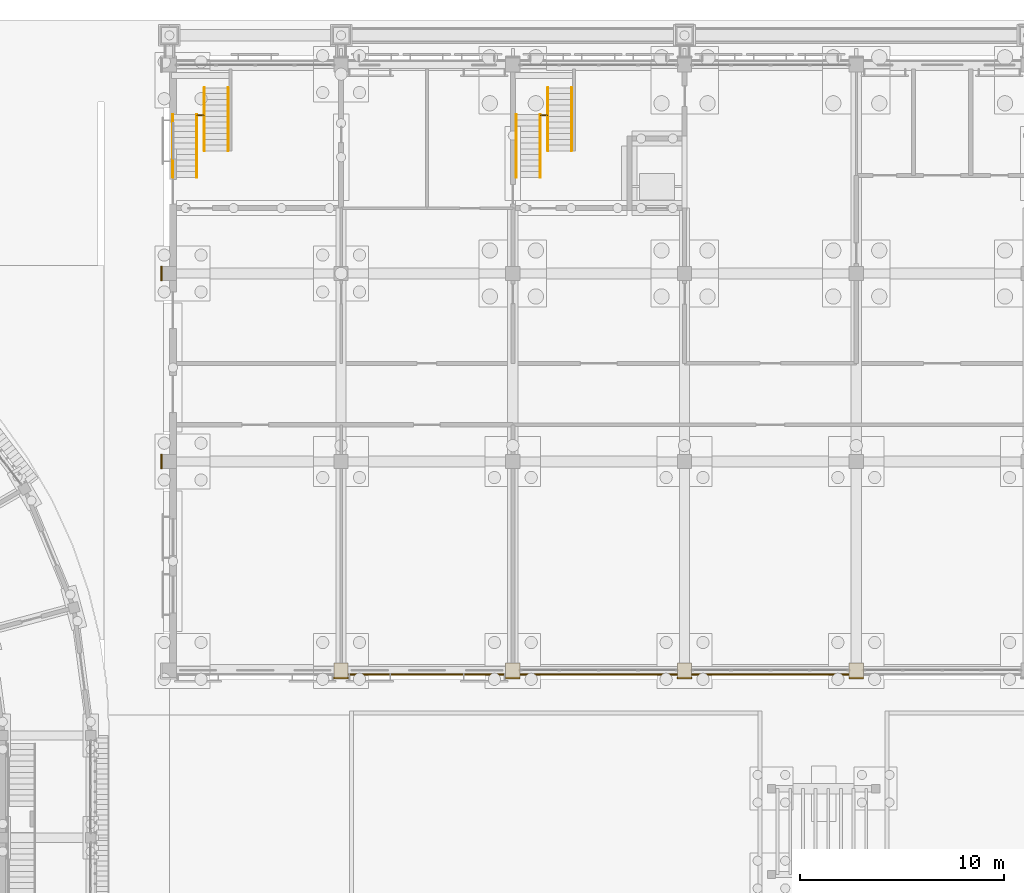
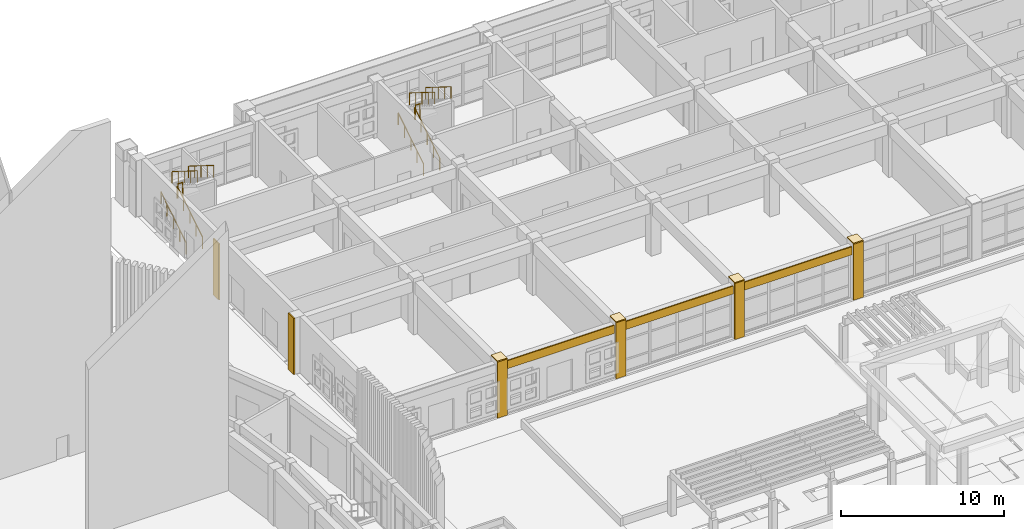
# One storey, part 102 of 112: 13 coverings, 10 railings.
"""IFC4 building model written with IfcOpenShell, lengths in metres."""

import ifcopenshell
import ifcopenshell.guid

model = None  # the IFC model being written
_history = None  # IfcOwnerHistory: only IFC2X3 demands one
_inside = {}  # id of a spatial element -> (the spatial element, [elements in it])
_under = {}  # id of a project, library or spatial element -> (it, [spatial elements below it])
_declared = {}  # id of a project -> (the project, [libraries it declares])
_typed = {}  # id of a type object -> (the type object, [elements of that type])
_made_of = {}  # id of a material, layer set ... -> (it, [elements and type objects made of it])


def new_model(schema):
    """Start an empty IFC model of exactly this schema.

    Asked for "IFC4X3", IfcOpenShell would pick the latest addendum, in which some entities
    have other attributes; the version numbers below select the first issue.
    IFC2X3 requires an IfcOwnerHistory on every rooted entity: one is made here for all.
    """
    global model, _history
    if schema == "IFC4X3":
        model = ifcopenshell.file(schema_version=(4, 3, 0, 0))
    else:
        model = ifcopenshell.file(schema=schema)
    _inside.clear()
    _under.clear()
    _declared.clear()
    _typed.clear()
    _made_of.clear()
    _history = None
    if model.schema == "IFC2X3":
        org = make("IfcOrganization", Name="unknown")
        user = make(
            "IfcPersonAndOrganization",
            ThePerson=make("IfcPerson", FamilyName="unknown"),
            TheOrganization=org,
        )
        app = make(
            "IfcApplication",
            ApplicationDeveloper=org,
            Version="unknown",
            ApplicationFullName="unknown",
            ApplicationIdentifier="unknown",
        )
        _history = make(
            "IfcOwnerHistory",
            OwningUser=user,
            OwningApplication=app,
            ChangeAction="ADDED",
            CreationDate=0,
        )
    return model


def make(cls, **values):
    """One entity of the class cls with the attributes given. An attribute that is None is left unset."""
    return model.create_entity(
        cls, **{name: value for name, value in values.items() if value is not None}
    )


def rooted(cls, **values):
    """An entity with a GlobalId (a new one), such as an element, a storey or a relation."""
    return make(cls, GlobalId=ifcopenshell.guid.new(), OwnerHistory=_history, **values)


def si_unit(unit_type, name, prefix=None):
    """IfcSIUnit, for example si_unit("LENGTHUNIT", "METRE", prefix="MILLI")."""
    return make("IfcSIUnit", UnitType=unit_type, Prefix=prefix, Name=name)


def assignment(units):
    """IfcUnitAssignment: the units of a project."""
    return None if units is None else make("IfcUnitAssignment", Units=units)


def point(xyz):
    """IfcCartesianPoint."""
    return None if xyz is None else make("IfcCartesianPoint", Coordinates=xyz)


def direction(xyz):
    """IfcDirection."""
    return None if xyz is None else make("IfcDirection", DirectionRatios=xyz)


def frame(location, z_axis=None, x_axis=None):
    """IfcAxis2Placement3D, a coordinate frame: its origin and axes. An axis left out is left unset."""
    return make(
        "IfcAxis2Placement3D",
        Location=point(location),
        Axis=direction(z_axis),
        RefDirection=direction(x_axis),
    )


def frame_2d(location, x_axis=None):
    """IfcAxis2Placement2D, a coordinate frame in the plane: its origin and x axis."""
    return make(
        "IfcAxis2Placement2D", Location=point(location), RefDirection=direction(x_axis)
    )


def origin():
    """The frame at (0, 0, 0) with its axes left unset."""
    return frame((0.0, 0.0, 0.0))


def origin_2d():
    """The frame at (0, 0) in the plane with its x axis left unset."""
    return frame_2d((0.0, 0.0))


def place(relative_to, where):
    """IfcLocalPlacement: puts the frame where relative to a parent placement (None: the world)."""
    return make(
        "IfcLocalPlacement", PlacementRelTo=relative_to, RelativePlacement=where
    )


def context(
    kind, dimensions, precision=None, world=None, true_north=None, identifier=None
):
    """IfcGeometricRepresentationContext, for example the 3D "Model" context."""
    return make(
        "IfcGeometricRepresentationContext",
        ContextIdentifier=identifier,
        ContextType=kind,
        CoordinateSpaceDimension=dimensions,
        Precision=precision,
        WorldCoordinateSystem=world,
        TrueNorth=true_north,
    )


def subcontext(parent, identifier, kind, view, scale=None):
    """IfcGeometricRepresentationSubContext, for example "Body" below "Model"."""
    return make(
        "IfcGeometricRepresentationSubContext",
        ContextIdentifier=identifier,
        ContextType=kind,
        ParentContext=parent,
        TargetScale=scale,
        TargetView=view,
    )


def project(units=None, contexts=None):
    """IfcProject with its units and contexts."""
    return rooted(
        "IfcProject",
        Name="project",
        RepresentationContexts=contexts,
        UnitsInContext=assignment(units),
    )


def spatial(cls, under=None, at=None, **own):
    """A site, building, storey or space (cls), placed at a placement, below another one or the project."""
    s = rooted(cls, ObjectPlacement=at, **own)
    if under is not None:
        _under.setdefault(under.id(), (under, []))[1].append(s)
    return s


def polyline(points):
    """IfcPolyline through the points."""
    return make("IfcPolyline", Points=[point(p) for p in points])


def profile(cls, at=None, kind="AREA", **sizes):
    """A parametric profile (cls). Its sizes go by their IFC names, for example OverallWidth=200.0."""
    return make(cls, ProfileType=kind, Position=at, **sizes)


def circle(**sizes):
    """IfcCircleProfileDef."""
    return profile("IfcCircleProfileDef", **sizes)


def outline(outer, holes=None, kind="AREA"):
    """IfcArbitraryClosedProfileDef: a profile drawn as a closed curve; with holes, ...WithVoids."""
    if holes is None:
        return make("IfcArbitraryClosedProfileDef", ProfileType=kind, OuterCurve=outer)
    return make(
        "IfcArbitraryProfileDefWithVoids",
        ProfileType=kind,
        OuterCurve=outer,
        InnerCurves=holes,
    )


def extrude(swept, where, along, depth):
    """IfcExtrudedAreaSolid: the profile swept, set in the frame where, extruded along a direction by depth."""
    return make(
        "IfcExtrudedAreaSolid",
        SweptArea=swept,
        Position=where,
        ExtrudedDirection=direction(along),
        Depth=depth,
    )


def shape(context_of_items, identifier, shape_type, items):
    """IfcShapeRepresentation: the items that make up one representation, for example the "Body"."""
    return make(
        "IfcShapeRepresentation",
        ContextOfItems=context_of_items,
        RepresentationIdentifier=identifier,
        RepresentationType=shape_type,
        Items=items,
    )


def material(Name=None, Category=None):
    """IfcMaterial."""
    return make("IfcMaterial", Name=Name, Category=Category)


def layer(
    of_material, thickness, ventilated=None, Name=None, Category=None, Priority=None
):
    """IfcMaterialLayer: one layer of a wall or slab, of a material (None: an air gap)."""
    return make(
        "IfcMaterialLayer",
        Material=of_material,
        LayerThickness=thickness,
        IsVentilated=ventilated,
        Name=Name,
        Category=Category,
        Priority=Priority,
    )


def layer_set(layers, Name=None):
    """IfcMaterialLayerSet."""
    return make("IfcMaterialLayerSet", MaterialLayers=layers, LayerSetName=Name)


def made_of(thing, what):
    """Note that an element or type object is made of a material, layer set ...; save() writes the relation."""
    if what is not None:
        _made_of.setdefault(what.id(), (what, []))[1].append(thing)
    return thing


def type_object(cls, material=None, **own):
    """A type object (cls), such as IfcWallType, which elements share."""
    return made_of(rooted(cls, **own), material)


def element(
    cls,
    number,
    at=None,
    inside=None,
    cuts=None,
    type_object=None,
    material=None,
    context=None,
    identifier="Body",
    shape_type=None,
    held_by="IfcProductDefinitionShape",
    body=None,
    shapes=None,
    **own,
):
    """One element of the class cls, such as IfcWall. Its Tag is "e" and its number.

    at: its placement. inside: the storey or other place that contains it. cuts: it is an
    opening in that element (IfcRelVoidsElement). A single representation is given by context,
    identifier, shape_type and body (its items); several are given by shapes. held_by: the class
    of the entity that holds the representations. save() writes the other relations.
    """
    e = rooted(cls, Tag="e%d" % number, ObjectPlacement=at, **own)
    if body is not None:
        shapes = [shape(context, identifier, shape_type, body)]
    if shapes is not None:
        e.Representation = make(held_by, Representations=shapes)
    if inside is not None:
        _inside.setdefault(inside.id(), (inside, []))[1].append(e)
    if cuts is not None:
        rooted(
            "IfcRelVoidsElement", RelatingBuildingElement=cuts, RelatedOpeningElement=e
        )
    if type_object is not None:
        _typed.setdefault(type_object.id(), (type_object, []))[1].append(e)
    return made_of(e, material)


def aggregate(whole, parts):
    """IfcRelAggregates: a whole, such as a stair, and the parts it consists of."""
    return rooted("IfcRelAggregates", RelatingObject=whole, RelatedObjects=parts)


def save(model, path):
    """Write the relations noted so far, then the file.

    IfcRelAggregates (storeys below a building ...), IfcRelContainedInSpatialStructure (elements
    in a storey), IfcRelDefinesByType, IfcRelAssociatesMaterial and IfcRelDeclares: one each for
    every whole, place, type object, material and project.
    """
    for whole, parts in _under.values():
        aggregate(whole, parts)
    for where, things in _inside.values():
        rooted(
            "IfcRelContainedInSpatialStructure",
            RelatedElements=things,
            RelatingStructure=where,
        )
    for kind, things in _typed.values():
        rooted("IfcRelDefinesByType", RelatedObjects=things, RelatingType=kind)
    for what, things in _made_of.values():
        rooted("IfcRelAssociatesMaterial", RelatedObjects=things, RelatingMaterial=what)
    for by, libraries in _declared.values():
        rooted("IfcRelDeclares", RelatingContext=by, RelatedDefinitions=libraries)
    model.write(path)


model = new_model("IFC4")

# Units and contexts
model_context = context("Model", 3, precision=1e-05, world=origin(), true_north=direction((0.0, 1.0)))
body_context = subcontext(model_context, "Body", "Model", "MODEL_VIEW")
ifc_project = project(units=[si_unit("LENGTHUNIT", "METRE"), si_unit("AREAUNIT", "SQUARE_METRE"), si_unit("VOLUMEUNIT", "CUBIC_METRE"), si_unit("PLANEANGLEUNIT", "RADIAN"), si_unit("MASSUNIT", "GRAM", prefix="KILO")], contexts=[model_context])

# Site, building, storey
site_placement = place(None, origin())
site = spatial("IfcSite", under=ifc_project, at=site_placement, CompositionType="ELEMENT")
building_placement = place(site_placement, origin())
building = spatial("IfcBuilding", under=site, at=building_placement, Name="Wasatch Bagh Community Centre", CompositionType="ELEMENT")
storey_placement = place(building_placement, origin())
storey = spatial("IfcBuildingStorey", under=building, at=storey_placement, Name="L00", CompositionType="ELEMENT", Elevation=0.0)

# Coverings
ifc_material_1 = material(Name="Cast stone cladding", Category="masonry")
ifc_layer_1 = layer(ifc_material_1, 0.080078125)
ifc_layer_set_1 = layer_set([ifc_layer_1], Name="Cast stone cladding")
covering_type_1 = type_object("IfcCoveringType", Name="CL-B7 beam facing", PredefinedType="CLADDING", material=ifc_layer_set_1)
covering_1_placement = place(storey_placement, frame((0.0, 0.0, 3.320068359375)))
element("IfcCovering", 1, at=covering_1_placement, inside=storey, type_object=covering_type_1, Name="Beam facing", PredefinedType="CLADDING", context=body_context, shape_type="SweptSolid", body=[
    extrude(outline(polyline([(72.75, 68.02490234375), (80.449951171875, 68.02490234375), (80.449951171875, 67.945068359375), (72.75, 67.945068359375), (72.75, 68.02490234375)])), origin(), (0.0, 0.0, 1.0), 0.599853515625),
])
covering_2_placement = place(storey_placement, frame((0.0, 0.0, 3.320068359375)))
element("IfcCovering", 2, at=covering_2_placement, inside=storey, type_object=covering_type_1, Name="Beam facing", PredefinedType="CLADDING", context=body_context, shape_type="SweptSolid", body=[
    extrude(outline(polyline([(81.14990234375, 68.02490234375), (88.85009765625, 68.02490234375), (88.85009765625, 67.945068359375), (81.14990234375, 67.945068359375), (81.14990234375, 68.02490234375)])), origin(), (0.0, 0.0, 1.0), 0.599853515625),
])
covering_3_placement = place(storey_placement, frame((0.0, 0.0, 3.320068359375)))
element("IfcCovering", 3, at=covering_3_placement, inside=storey, type_object=covering_type_1, Name="Beam facing", PredefinedType="CLADDING", context=body_context, shape_type="SweptSolid", body=[
    extrude(outline(polyline([(89.550048828125, 68.02490234375), (97.25, 68.02490234375), (97.25, 67.945068359375), (89.550048828125, 67.945068359375), (89.550048828125, 68.02490234375)])), origin(), (0.0, 0.0, 1.0), 0.599853515625),
])
ifc_layer_2 = layer(ifc_material_1, 0.080078125)
ifc_layer_set_2 = layer_set([ifc_layer_2], Name="Cast stone cladding")
covering_type_2 = type_object("IfcCoveringType", Name="CL-C1 column facing", PredefinedType="CLADDING", material=ifc_layer_set_2)
covering_4_placement = place(storey_placement, origin())
element("IfcCovering", 4, at=covering_4_placement, inside=storey, type_object=covering_type_2, Name="Column facing", PredefinedType="CLADDING", context=body_context, shape_type="SweptSolid", body=[
    extrude(outline(polyline([(63.64990234375, 87.949951171875), (63.64990234375, 87.25), (63.570068359375, 87.25), (63.570068359375, 87.949951171875), (63.64990234375, 87.949951171875)])), origin(), (0.0, 0.0, 1.0), 4.199951171875),
])
covering_5_placement = place(storey_placement, origin())
element("IfcCovering", 5, at=covering_5_placement, inside=storey, type_object=covering_type_2, Name="Column facing", PredefinedType="CLADDING", context=body_context, shape_type="SweptSolid", body=[
    extrude(outline(polyline([(63.64990234375, 78.75), (63.64990234375, 78.050048828125), (63.570068359375, 78.050048828125), (63.570068359375, 78.75), (63.64990234375, 78.75)])), origin(), (0.0, 0.0, 1.0), 4.199951171875),
])
covering_6_placement = place(storey_placement, origin())
element("IfcCovering", 6, at=covering_6_placement, inside=storey, type_object=covering_type_2, Name="Column facing", PredefinedType="CLADDING", context=body_context, shape_type="SweptSolid", body=[
    extrude(outline(polyline([(72.050048828125, 67.85009765625), (72.75, 67.85009765625), (72.75, 67.77001953125), (72.050048828125, 67.77001953125), (72.050048828125, 67.85009765625)])), origin(), (0.0, 0.0, 1.0), 4.199951171875),
])
covering_7_placement = place(storey_placement, frame((0.0, 0.0, 4.199951171875)))
element("IfcCovering", 7, at=covering_7_placement, inside=storey, type_object=covering_type_2, Name="Column facing", PredefinedType="CLADDING", context=body_context, shape_type="SweptSolid", body=[
    extrude(outline(polyline([(72.75, 67.77001953125), (72.050048828125, 67.77001953125), (72.050048828125, 68.550048828125), (72.75, 68.550048828125), (72.75, 67.77001953125)])), origin(), (0.0, 0.0, 1.0), 0.080078125),
])
covering_8_placement = place(storey_placement, origin())
element("IfcCovering", 8, at=covering_8_placement, inside=storey, type_object=covering_type_2, Name="Column facing", PredefinedType="CLADDING", context=body_context, shape_type="SweptSolid", body=[
    extrude(outline(polyline([(80.449951171875, 67.85009765625), (81.14990234375, 67.85009765625), (81.14990234375, 67.77001953125), (80.449951171875, 67.77001953125), (80.449951171875, 67.85009765625)])), origin(), (0.0, 0.0, 1.0), 4.199951171875),
])
covering_9_placement = place(storey_placement, frame((0.0, 0.0, 4.199951171875)))
element("IfcCovering", 9, at=covering_9_placement, inside=storey, type_object=covering_type_2, Name="Column facing", PredefinedType="CLADDING", context=body_context, shape_type="SweptSolid", body=[
    extrude(outline(polyline([(81.14990234375, 67.77001953125), (80.449951171875, 67.77001953125), (80.449951171875, 68.550048828125), (81.14990234375, 68.550048828125), (81.14990234375, 67.77001953125)])), origin(), (0.0, 0.0, 1.0), 0.080078125),
])
covering_10_placement = place(storey_placement, origin())
element("IfcCovering", 10, at=covering_10_placement, inside=storey, type_object=covering_type_2, Name="Column facing", PredefinedType="CLADDING", context=body_context, shape_type="SweptSolid", body=[
    extrude(outline(polyline([(88.85009765625, 67.85009765625), (89.550048828125, 67.85009765625), (89.550048828125, 67.77001953125), (88.85009765625, 67.77001953125), (88.85009765625, 67.85009765625)])), origin(), (0.0, 0.0, 1.0), 4.199951171875),
])
covering_11_placement = place(storey_placement, frame((0.0, 0.0, 4.199951171875)))
element("IfcCovering", 11, at=covering_11_placement, inside=storey, type_object=covering_type_2, Name="Column facing", PredefinedType="CLADDING", context=body_context, shape_type="SweptSolid", body=[
    extrude(outline(polyline([(89.550048828125, 67.77001953125), (88.85009765625, 67.77001953125), (88.85009765625, 68.550048828125), (89.550048828125, 68.550048828125), (89.550048828125, 67.77001953125)])), origin(), (0.0, 0.0, 1.0), 0.080078125),
])
covering_12_placement = place(storey_placement, origin())
element("IfcCovering", 12, at=covering_12_placement, inside=storey, type_object=covering_type_2, Name="Column facing", PredefinedType="CLADDING", context=body_context, shape_type="SweptSolid", body=[
    extrude(outline(polyline([(97.25, 67.85009765625), (97.949951171875, 67.85009765625), (97.949951171875, 67.77001953125), (97.25, 67.77001953125), (97.25, 67.85009765625)])), origin(), (0.0, 0.0, 1.0), 4.199951171875),
])
covering_13_placement = place(storey_placement, frame((0.0, 0.0, 4.199951171875)))
element("IfcCovering", 13, at=covering_13_placement, inside=storey, type_object=covering_type_2, Name="Column facing", PredefinedType="CLADDING", context=body_context, shape_type="SweptSolid", body=[
    extrude(outline(polyline([(97.949951171875, 67.77001953125), (97.25, 67.77001953125), (97.25, 68.550048828125), (97.949951171875, 68.550048828125), (97.949951171875, 67.77001953125)])), origin(), (0.0, 0.0, 1.0), 0.080078125),
])

# Railings
ifc_material_2 = material(Name="Painted steel with jali infill", Category="steel")
railing_type_1 = type_object("IfcRailingType", Name="LW guard 1100", PredefinedType="GUARDRAIL", material=ifc_material_2)
railing_1_placement = place(storey_placement, frame((65.360107421875, 95.330078125, 2.10009765625)))
element("IfcRailing", 14, at=railing_1_placement, inside=storey, type_object=railing_type_1, Name="Guard WS", PredefinedType="GUARDRAIL", context=body_context, shape_type="SweptSolid", body=[
    extrude(circle(Radius=0.02490234375, at=origin_2d()), frame((0.0, 0.0, 1.0751953125), z_axis=(1.0, 0.0, 0.0), x_axis=(0.0, 1.0, 0.0)), (0.0, 0.0, 1.0), 0.329833984375),
    extrude(circle(Radius=0.02001953125, at=origin_2d()), origin(), (0.0, 0.0, 1.0), 1.050048828125),
    extrude(circle(Radius=0.02001953125, at=origin_2d()), frame((0.329833984375, 0.0, 0.0)), (0.0, 0.0, 1.0), 1.050048828125),
])
railing_2_placement = place(storey_placement, frame((82.159912109375, 95.330078125, 2.10009765625)))
element("IfcRailing", 15, at=railing_2_placement, inside=storey, type_object=railing_type_1, Name="Guard C1", PredefinedType="GUARDRAIL", context=body_context, shape_type="SweptSolid", body=[
    extrude(circle(Radius=0.02490234375, at=origin_2d()), frame((0.0, 0.0, 1.0751953125), z_axis=(1.0, 0.0, 0.0), x_axis=(0.0, 1.0, 0.0)), (0.0, 0.0, 1.0), 0.330078125),
    extrude(circle(Radius=0.02001953125, at=origin_2d()), origin(), (0.0, 0.0, 1.0), 1.050048828125),
    extrude(circle(Radius=0.02001953125, at=origin_2d()), frame((0.330078125, 0.0, 0.0)), (0.0, 0.0, 1.0), 1.050048828125),
])
ifc_material_3 = material(Name="Painted steel tube", Category="steel")
railing_type_2 = type_object("IfcRailingType", Name="LW stair handrail 900", PredefinedType="HANDRAIL", material=ifc_material_3)
for number, where, name in (
    (16, (64.175048828125, 92.300048828125, 0.175048828125), "Handrail WS"),
    (17, (65.3349609375, 92.300048828125, 0.175048828125), "Handrail WS"),
):
    element("IfcRailing", number, at=place(storey_placement, frame(where)), inside=storey, type_object=railing_type_2, Name=name, PredefinedType="HANDRAIL", context=body_context, shape_type="SweptSolid", body=[
        extrude(circle(Radius=0.0224609375, at=origin_2d()), frame((0.0, 0.0, 0.87744140625), z_axis=(0.0, 0.847979421464, 0.530029150871), x_axis=(-1.0, 0.0, 0.0)), (0.0, 0.0, 1.0), 3.632080078125),
        extrude(circle(Radius=0.02001953125, at=origin_2d()), origin(), (0.0, 0.0, 1.0), 0.85498046875),
        extrude(circle(Radius=0.02001953125, at=origin_2d()), frame((0.0, 0.77001953125, 0.481201171875)), (0.0, 0.0, 1.0), 0.85498046875),
        extrude(circle(Radius=0.02001953125, at=origin_2d()), frame((0.0, 1.5400390625, 0.96240234375)), (0.0, 0.0, 1.0), 0.85498046875),
        extrude(circle(Radius=0.02001953125, at=origin_2d()), frame((0.0, 2.309814453125, 1.44384765625)), (0.0, 0.0, 1.0), 0.85498046875),
        extrude(circle(Radius=0.02001953125, at=origin_2d()), frame((0.0, 3.079833984375, 1.925048828125)), (0.0, 0.0, 1.0), 0.85498046875),
    ])
for number, where, name in (
    (18, (65.715087890625, 96.679931640625, 2.27490234375), "Handrail WS"),
    (19, (66.875, 96.679931640625, 2.27490234375), "Handrail WS"),
):
    element("IfcRailing", number, at=place(storey_placement, frame(where)), inside=storey, type_object=railing_type_2, Name=name, PredefinedType="HANDRAIL", context=body_context, shape_type="SweptSolid", body=[
        extrude(circle(Radius=0.0224609375, at=origin_2d()), frame((0.0, 0.0, 0.87744140625), z_axis=(0.0, -0.847979421464, 0.530029150871), x_axis=(1.0, 0.0, 0.0)), (0.0, 0.0, 1.0), 3.632080078125),
        extrude(circle(Radius=0.02001953125, at=origin_2d()), origin(), (0.0, 0.0, 1.0), 0.85498046875),
        extrude(circle(Radius=0.02001953125, at=origin_2d()), frame((0.0, -0.77001953125, 0.481201171875)), (0.0, 0.0, 1.0), 0.85498046875),
        extrude(circle(Radius=0.02001953125, at=origin_2d()), frame((0.0, -1.5400390625, 0.96240234375)), (0.0, 0.0, 1.0), 0.85498046875),
        extrude(circle(Radius=0.02001953125, at=origin_2d()), frame((0.0, -2.309814453125, 1.44384765625)), (0.0, 0.0, 1.0), 0.85498046875),
        extrude(circle(Radius=0.02001953125, at=origin_2d()), frame((0.0, -3.079833984375, 1.925048828125)), (0.0, 0.0, 1.0), 0.85498046875),
    ])
for number, where, name in (
    (20, (80.97509765625, 92.300048828125, 0.175048828125), "Handrail C1"),
    (21, (82.135009765625, 92.300048828125, 0.175048828125), "Handrail C1"),
):
    element("IfcRailing", number, at=place(storey_placement, frame(where)), inside=storey, type_object=railing_type_2, Name=name, PredefinedType="HANDRAIL", context=body_context, shape_type="SweptSolid", body=[
        extrude(circle(Radius=0.0224609375, at=origin_2d()), frame((0.0, 0.0, 0.87744140625), z_axis=(0.0, 0.847979421464, 0.530029150871), x_axis=(-1.0, 0.0, 0.0)), (0.0, 0.0, 1.0), 3.632080078125),
        extrude(circle(Radius=0.02001953125, at=origin_2d()), origin(), (0.0, 0.0, 1.0), 0.85498046875),
        extrude(circle(Radius=0.02001953125, at=origin_2d()), frame((0.0, 0.77001953125, 0.481201171875)), (0.0, 0.0, 1.0), 0.85498046875),
        extrude(circle(Radius=0.02001953125, at=origin_2d()), frame((0.0, 1.5400390625, 0.96240234375)), (0.0, 0.0, 1.0), 0.85498046875),
        extrude(circle(Radius=0.02001953125, at=origin_2d()), frame((0.0, 2.309814453125, 1.44384765625)), (0.0, 0.0, 1.0), 0.85498046875),
        extrude(circle(Radius=0.02001953125, at=origin_2d()), frame((0.0, 3.079833984375, 1.925048828125)), (0.0, 0.0, 1.0), 0.85498046875),
    ])
for number, where, name in (
    (22, (82.514892578125, 96.679931640625, 2.27490234375), "Handrail C1"),
    (23, (83.675048828125, 96.679931640625, 2.27490234375), "Handrail C1"),
):
    element("IfcRailing", number, at=place(storey_placement, frame(where)), inside=storey, type_object=railing_type_2, Name=name, PredefinedType="HANDRAIL", context=body_context, shape_type="SweptSolid", body=[
        extrude(circle(Radius=0.0224609375, at=origin_2d()), frame((0.0, 0.0, 0.87744140625), z_axis=(0.0, -0.847979421464, 0.530029150871), x_axis=(1.0, 0.0, 0.0)), (0.0, 0.0, 1.0), 3.632080078125),
        extrude(circle(Radius=0.02001953125, at=origin_2d()), origin(), (0.0, 0.0, 1.0), 0.85498046875),
        extrude(circle(Radius=0.02001953125, at=origin_2d()), frame((0.0, -0.77001953125, 0.481201171875)), (0.0, 0.0, 1.0), 0.85498046875),
        extrude(circle(Radius=0.02001953125, at=origin_2d()), frame((0.0, -1.5400390625, 0.96240234375)), (0.0, 0.0, 1.0), 0.85498046875),
        extrude(circle(Radius=0.02001953125, at=origin_2d()), frame((0.0, -2.309814453125, 1.44384765625)), (0.0, 0.0, 1.0), 0.85498046875),
        extrude(circle(Radius=0.02001953125, at=origin_2d()), frame((0.0, -3.079833984375, 1.925048828125)), (0.0, 0.0, 1.0), 0.85498046875),
    ])

save(model, "model.ifc")
